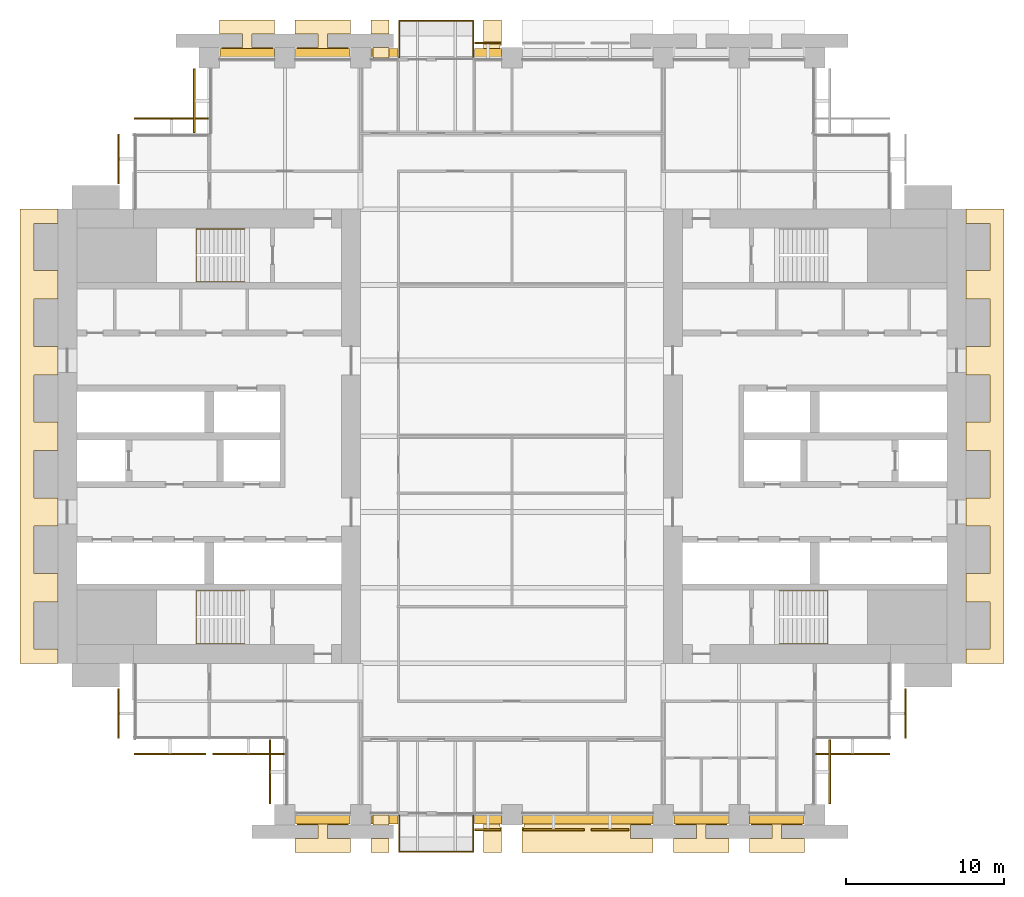
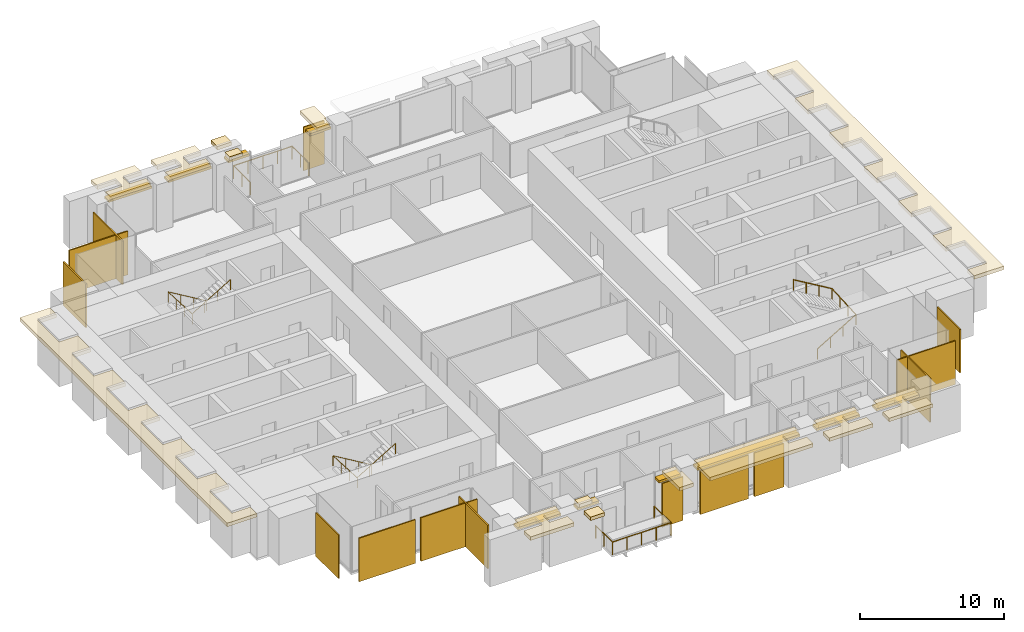
# One storey, part 14 of 15: 28 coverings, 10 shading devices, 5 railings.
"""IFC4 building model written with IfcOpenShell, lengths in metres."""

from ifc_helpers import new_model, si_unit, direction, frame, origin, origin_2d, place, context, subcontext, project, spatial, polyline, rectangle, circle, outline, extrude, material, layer, layer_set, type_object, element, save


model = new_model("IFC4")

# Units and contexts
model_context = context("Model", 3, precision=1e-05, world=origin(), true_north=direction((0.0, 1.0)))
body_context = subcontext(model_context, "Body", "Model", "MODEL_VIEW")
ifc_project = project(units=[si_unit("LENGTHUNIT", "METRE"), si_unit("AREAUNIT", "SQUARE_METRE"), si_unit("VOLUMEUNIT", "CUBIC_METRE"), si_unit("PLANEANGLEUNIT", "RADIAN"), si_unit("MASSUNIT", "GRAM", prefix="KILO")], contexts=[model_context])

# Site, building, storey
site_placement = place(None, origin())
site = spatial("IfcSite", under=ifc_project, at=site_placement, CompositionType="ELEMENT")
building_placement = place(site_placement, origin())
building = spatial("IfcBuilding", under=site, at=building_placement, Name="Baori Bourse Tower", CompositionType="ELEMENT")
storey_placement = place(building_placement, frame((0.0, 0.0, 47.0)))
storey = spatial("IfcBuildingStorey", under=building, at=storey_placement, Name="L09", CompositionType="ELEMENT", Elevation=47.0)

# Coverings
ifc_material_1 = material(Name="Pale anodised aluminium", Category="aluminium")
covering_type_1 = type_object("IfcCoveringType", Name="BD1 Pale metal band", PredefinedType="CLADDING", material=ifc_material_1)
covering_1_placement = place(storey_placement, frame((0.0, 0.0, 3.5400390625)))
element("IfcCovering", 1, at=covering_1_placement, inside=storey, type_object=covering_type_1, Name="Pale projecting band L09 1", PredefinedType="CLADDING", context=body_context, shape_type="SweptSolid", body=[
    extrude(outline(polyline([(57.60009765625, 10.5), (57.60009765625, 9.60009765625), (60.0, 9.60009765625), (60.0, 38.39990234375), (57.60009765625, 38.39990234375), (57.60009765625, 37.5), (59.10009765625, 37.5), (59.10009765625, 34.5), (57.60009765625, 34.5), (57.60009765625, 32.699951171875), (59.10009765625, 32.699951171875), (59.10009765625, 29.699951171875), (57.60009765625, 29.699951171875), (57.60009765625, 27.89990234375), (59.10009765625, 27.89990234375), (59.10009765625, 24.89990234375), (57.60009765625, 24.89990234375), (57.60009765625, 23.10009765625), (59.10009765625, 23.10009765625), (59.10009765625, 20.10009765625), (57.60009765625, 20.10009765625), (57.60009765625, 18.300048828125), (59.10009765625, 18.300048828125), (59.10009765625, 15.300048828125), (57.60009765625, 15.300048828125), (57.60009765625, 13.5), (59.10009765625, 13.5), (59.10009765625, 10.5), (57.60009765625, 10.5)])), origin(), (0.0, 0.0, 1.0), 0.300048828125),
])
covering_2_placement = place(storey_placement, frame((0.0, 0.0, 3.5400390625)))
element("IfcCovering", 2, at=covering_2_placement, inside=storey, type_object=covering_type_1, Name="Pale projecting band L09 5", PredefinedType="CLADDING", context=body_context, shape_type="SweptSolid", body=[
    extrude(outline(polyline([(27.0, 48.0), (28.030029296875, 48.0), (28.030029296875, 48.77001953125), (28.14990234375, 48.77001953125), (28.14990234375, 50.39990234375), (27.0, 50.39990234375), (27.0, 48.0)])), origin(), (0.0, 0.0, 1.0), 0.300048828125),
])
covering_3_placement = place(storey_placement, frame((0.0, 0.0, 3.5400390625)))
element("IfcCovering", 3, at=covering_3_placement, inside=storey, type_object=covering_type_1, Name="Pale projecting band L09 6", PredefinedType="CLADDING", context=body_context, shape_type="SweptSolid", body=[
    extrude(outline(polyline([(19.85009765625, 50.39990234375), (19.85009765625, 49.5), (21.0, 49.5), (21.0, 50.39990234375), (19.85009765625, 50.39990234375)])), origin(), (0.0, 0.0, 1.0), 0.300048828125),
])
covering_4_placement = place(storey_placement, frame((0.0, 0.0, 3.5400390625)))
element("IfcCovering", 4, at=covering_4_placement, inside=storey, type_object=covering_type_1, Name="Pale projecting band L09 7", PredefinedType="CLADDING", context=body_context, shape_type="SweptSolid", body=[
    extrude(outline(polyline([(19.969970703125, 48.0), (21.0, 48.0), (21.0, 48.64990234375), (19.969970703125, 48.64990234375), (19.969970703125, 48.0)])), origin(), (0.0, 0.0, 1.0), 0.300048828125),
])
covering_5_placement = place(storey_placement, frame((0.0, 0.0, 3.5400390625)))
element("IfcCovering", 5, at=covering_5_placement, inside=storey, type_object=covering_type_1, Name="Pale projecting band L09 8", PredefinedType="CLADDING", context=body_context, shape_type="SweptSolid", body=[
    extrude(outline(polyline([(15.169921875, 48.0), (18.429931640625, 48.0), (18.429931640625, 48.64990234375), (17.10009765625, 48.64990234375), (17.10009765625, 49.5), (18.550048828125, 49.5), (18.550048828125, 50.39990234375), (15.050048828125, 50.39990234375), (15.050048828125, 49.5), (16.5, 49.5), (16.5, 48.64990234375), (15.169921875, 48.64990234375), (15.169921875, 48.0)])), origin(), (0.0, 0.0, 1.0), 0.300048828125),
])
covering_6_placement = place(storey_placement, frame((0.0, 0.0, 3.5400390625)))
element("IfcCovering", 6, at=covering_6_placement, inside=storey, type_object=covering_type_1, Name="Pale projecting band L09 9", PredefinedType="CLADDING", context=body_context, shape_type="SweptSolid", body=[
    extrude(outline(polyline([(10.3701171875, 48.0), (13.6298828125, 48.0), (13.6298828125, 48.64990234375), (12.300048828125, 48.64990234375), (12.300048828125, 49.5), (13.75, 49.5), (13.75, 50.39990234375), (10.25, 50.39990234375), (10.25, 49.5), (11.699951171875, 49.5), (11.699951171875, 48.64990234375), (10.3701171875, 48.64990234375), (10.3701171875, 48.0)])), origin(), (0.0, 0.0, 1.0), 0.300048828125),
])
covering_7_placement = place(storey_placement, frame((0.0, 0.0, 3.5400390625)))
element("IfcCovering", 7, at=covering_7_placement, inside=storey, type_object=covering_type_1, Name="Pale projecting band L09 10", PredefinedType="CLADDING", context=body_context, shape_type="SweptSolid", body=[
    extrude(outline(polyline([(0.0, 37.5), (0.0, 38.39990234375), (-2.39990234375, 38.39990234375), (-2.39990234375, 9.60009765625), (0.0, 9.60009765625), (0.0, 10.5), (-1.5, 10.5), (-1.5, 13.5), (0.0, 13.5), (0.0, 15.300048828125), (-1.5, 15.300048828125), (-1.5, 18.300048828125), (0.0, 18.300048828125), (0.0, 20.10009765625), (-1.5, 20.10009765625), (-1.5, 23.10009765625), (0.0, 23.10009765625), (0.0, 24.89990234375), (-1.5, 24.89990234375), (-1.5, 27.89990234375), (0.0, 27.89990234375), (0.0, 29.699951171875), (-1.5, 29.699951171875), (-1.5, 32.699951171875), (0.0, 32.699951171875), (0.0, 34.5), (-1.5, 34.5), (-1.5, 37.5), (0.0, 37.5)])), origin(), (0.0, 0.0, 1.0), 0.300048828125),
])
covering_8_placement = place(storey_placement, frame((0.0, 0.0, 3.5400390625)))
element("IfcCovering", 8, at=covering_8_placement, inside=storey, type_object=covering_type_1, Name="Pale projecting band L09 11", PredefinedType="CLADDING", context=body_context, shape_type="SweptSolid", body=[
    extrude(outline(polyline([(18.429931640625, 0.0), (15.169921875, 0.0), (15.169921875, -0.64990234375), (16.5, -0.64990234375), (16.5, -1.5), (15.050048828125, -1.5), (15.050048828125, -2.39990234375), (18.550048828125, -2.39990234375), (18.550048828125, -1.5), (17.10009765625, -1.5), (17.10009765625, -0.64990234375), (18.429931640625, -0.64990234375), (18.429931640625, 0.0)])), origin(), (0.0, 0.0, 1.0), 0.300048828125),
])
covering_9_placement = place(storey_placement, frame((0.0, 0.0, 3.5400390625)))
element("IfcCovering", 9, at=covering_9_placement, inside=storey, type_object=covering_type_1, Name="Pale projecting band L09 12", PredefinedType="CLADDING", context=body_context, shape_type="SweptSolid", body=[
    extrude(outline(polyline([(19.85009765625, -2.39990234375), (21.0, -2.39990234375), (21.0, -1.5), (19.85009765625, -1.5), (19.85009765625, -2.39990234375)])), origin(), (0.0, 0.0, 1.0), 0.300048828125),
])
covering_10_placement = place(storey_placement, frame((0.0, 0.0, 3.5400390625)))
element("IfcCovering", 10, at=covering_10_placement, inside=storey, type_object=covering_type_1, Name="Pale projecting band L09 13", PredefinedType="CLADDING", context=body_context, shape_type="SweptSolid", body=[
    extrude(outline(polyline([(21.0, 0.0), (19.969970703125, 0.0), (19.969970703125, -0.64990234375), (21.0, -0.64990234375), (21.0, 0.0)])), origin(), (0.0, 0.0, 1.0), 0.300048828125),
])
covering_11_placement = place(storey_placement, frame((0.0, 0.0, 3.5400390625)))
element("IfcCovering", 11, at=covering_11_placement, inside=storey, type_object=covering_type_1, Name="Pale projecting band L09 14", PredefinedType="CLADDING", context=body_context, shape_type="SweptSolid", body=[
    extrude(outline(polyline([(28.030029296875, 0.0), (27.0, 0.0), (27.0, -2.39990234375), (28.14990234375, -2.39990234375), (28.14990234375, -0.77001953125), (28.030029296875, -0.77001953125), (28.030029296875, 0.0)])), origin(), (0.0, 0.0, 1.0), 0.300048828125),
])
covering_12_placement = place(storey_placement, frame((0.0, 0.0, 3.5400390625)))
element("IfcCovering", 12, at=covering_12_placement, inside=storey, type_object=covering_type_1, Name="Pale projecting band L09 15", PredefinedType="CLADDING", context=body_context, shape_type="SweptSolid", body=[
    extrude(outline(polyline([(37.6298828125, 0.0), (29.570068359375, 0.0), (29.570068359375, -0.77001953125), (29.449951171875, -0.77001953125), (29.449951171875, -2.39990234375), (37.75, -2.39990234375), (37.75, -1.5), (36.300048828125, -1.5), (36.300048828125, -0.64990234375), (37.6298828125, -0.64990234375), (37.6298828125, 0.0)])), origin(), (0.0, 0.0, 1.0), 0.300048828125),
])
covering_13_placement = place(storey_placement, frame((0.0, 0.0, 3.5400390625)))
element("IfcCovering", 13, at=covering_13_placement, inside=storey, type_object=covering_type_1, Name="Pale projecting band L09 16", PredefinedType="CLADDING", context=body_context, shape_type="SweptSolid", body=[
    extrude(outline(polyline([(42.429931640625, 0.0), (39.169921875, 0.0), (39.169921875, -0.64990234375), (40.5, -0.64990234375), (40.5, -1.5), (39.050048828125, -1.5), (39.050048828125, -2.39990234375), (42.550048828125, -2.39990234375), (42.550048828125, -1.5), (41.10009765625, -1.5), (41.10009765625, -0.64990234375), (42.429931640625, -0.64990234375), (42.429931640625, 0.0)])), origin(), (0.0, 0.0, 1.0), 0.300048828125),
])
covering_14_placement = place(storey_placement, frame((0.0, 0.0, 3.5400390625)))
element("IfcCovering", 14, at=covering_14_placement, inside=storey, type_object=covering_type_1, Name="Pale projecting band L09 17", PredefinedType="CLADDING", context=body_context, shape_type="SweptSolid", body=[
    extrude(outline(polyline([(47.22998046875, 0.0), (43.969970703125, 0.0), (43.969970703125, -0.64990234375), (45.300048828125, -0.64990234375), (45.300048828125, -1.5), (43.85009765625, -1.5), (43.85009765625, -2.39990234375), (47.35009765625, -2.39990234375), (47.35009765625, -1.5), (45.89990234375, -1.5), (45.89990234375, -0.64990234375), (47.22998046875, -0.64990234375), (47.22998046875, 0.0)])), origin(), (0.0, 0.0, 1.0), 0.300048828125),
])

# Shading devices
ifc_material_2 = material(Name="Concrete f'c 40 MPa", Category="concrete")
ifc_layer_1 = layer(ifc_material_2, 0.199951171875)
ifc_layer_set_1 = layer_set([ifc_layer_1], Name="BS1 Brise-soleil ledge")
shading_device_type = type_object("IfcShadingDeviceType", Name="BS1 Brise-soleil ledge", PredefinedType="USERDEFINED", material=ifc_layer_set_1)
for number, where, z_axis, x_axis, name in (
    (15, (27.27490234375, 48.300048828125, 3.33984375), (0.0, 0.0, 1.0), (-1.0, 0.0, 0.0), "Brise-soleil ledge L09 4"),
    (16, (20.72509765625, 48.300048828125, 3.33984375), (0.0, 0.0, 1.0), (-1.0, 0.0, 0.0), "Brise-soleil ledge L09 5"),
):
    element("IfcShadingDevice", number, at=place(storey_placement, frame(where, z_axis=z_axis, x_axis=x_axis)), inside=storey, type_object=shading_device_type, Name=name, ObjectType="BRISE SOLEIL", PredefinedType="USERDEFINED", context=body_context, shape_type="SweptSolid", body=[
        extrude(rectangle(XDim=1.7099609375, YDim=0.60009765625, at=origin_2d()), origin(), (0.0, 0.0, 1.0), 0.199951171875),
    ])
for number, where, z_axis, x_axis, name in (
    (17, (16.800048828125, 48.300048828125, 3.33984375), (0.0, 0.0, 1.0), (-1.0, 0.0, 0.0), "Brise-soleil ledge L09 6"),
    (18, (12.0, 48.300048828125, 3.33984375), (0.0, 0.0, 1.0), (-1.0, 0.0, 0.0), "Brise-soleil ledge L09 7"),
    (19, (16.800048828125, -0.300048828125, 3.33984375), (0.0, 0.0, 1.0), (1.0, 0.0, 0.0), "Brise-soleil ledge L09 8"),
):
    element("IfcShadingDevice", number, at=place(storey_placement, frame(where, z_axis=z_axis, x_axis=x_axis)), inside=storey, type_object=shading_device_type, Name=name, ObjectType="BRISE SOLEIL", PredefinedType="USERDEFINED", context=body_context, shape_type="SweptSolid", body=[
        extrude(rectangle(XDim=3.4599609375, YDim=0.60009765625, at=origin_2d()), origin(), (0.0, 0.0, 1.0), 0.199951171875),
    ])
for number, where, z_axis, x_axis, name in (
    (20, (20.72509765625, -0.300048828125, 3.33984375), (0.0, 0.0, 1.0), (1.0, 0.0, 0.0), "Brise-soleil ledge L09 9"),
    (21, (27.27490234375, -0.300048828125, 3.33984375), (0.0, 0.0, 1.0), (1.0, 0.0, 0.0), "Brise-soleil ledge L09 10"),
):
    element("IfcShadingDevice", number, at=place(storey_placement, frame(where, z_axis=z_axis, x_axis=x_axis)), inside=storey, type_object=shading_device_type, Name=name, ObjectType="BRISE SOLEIL", PredefinedType="USERDEFINED", context=body_context, shape_type="SweptSolid", body=[
        extrude(rectangle(XDim=1.7099609375, YDim=0.60009765625, at=origin_2d()), origin(), (0.0, 0.0, 1.0), 0.199951171875),
    ])
shading_device_placement = place(storey_placement, frame((33.60009765625, -0.300048828125, 3.33984375), z_axis=(0.0, 0.0, 1.0), x_axis=(1.0, 0.0, 0.0)))
element("IfcShadingDevice", 22, at=shading_device_placement, inside=storey, type_object=shading_device_type, Name="Brise-soleil ledge L09 11", ObjectType="BRISE SOLEIL", PredefinedType="USERDEFINED", context=body_context, shape_type="SweptSolid", body=[
    extrude(rectangle(XDim=8.260009765625, YDim=0.60009765625, at=origin_2d()), origin(), (0.0, 0.0, 1.0), 0.199951171875),
])
for number, where, z_axis, x_axis, name in (
    (23, (40.800048828125, -0.300048828125, 3.33984375), (0.0, 0.0, 1.0), (1.0, 0.0, 0.0), "Brise-soleil ledge L09 12"),
    (24, (45.60009765625, -0.300048828125, 3.33984375), (0.0, 0.0, 1.0), (1.0, 0.0, 0.0), "Brise-soleil ledge L09 13"),
):
    element("IfcShadingDevice", number, at=place(storey_placement, frame(where, z_axis=z_axis, x_axis=x_axis)), inside=storey, type_object=shading_device_type, Name=name, ObjectType="BRISE SOLEIL", PredefinedType="USERDEFINED", context=body_context, shape_type="SweptSolid", body=[
        extrude(rectangle(XDim=3.4599609375, YDim=0.60009765625, at=origin_2d()), origin(), (0.0, 0.0, 1.0), 0.199951171875),
    ])

# Railings
ifc_material_3 = material(Name="Powder-coated steel balustrade", Category="steel")
railing_type_1 = type_object("IfcRailingType", Name="Core stair handrail", PredefinedType="HANDRAIL", material=ifc_material_3)
railing_1_placement = place(storey_placement, frame((11.85009765625, 14.199951171875, 0.166748046875)))
element("IfcRailing", 25, at=railing_1_placement, inside=storey, type_object=railing_type_1, Name="L09 ST1 stair handrail 1", PredefinedType="HANDRAIL", context=body_context, shape_type="SweptSolid", body=[
    extrude(circle(Radius=0.02392578125, at=origin_2d()), frame((0.0, 0.0, 0.8759765625), z_axis=(-0.859308565015, 0.0, 0.511457515432), x_axis=(0.0, -1.0, 0.0)), (0.0, 0.0, 1.0), 3.58447265625),
    extrude(circle(Radius=0.02392578125, at=origin_2d()), frame((-3.080078125, 0.0, 2.708984375), z_axis=(0.0, -0.998763387249, 0.04971615724), x_axis=(1.0, 0.0, 0.0)), (0.0, 0.0, 1.0), 3.35400390625),
    extrude(circle(Radius=0.02392578125, at=origin_2d()), frame((-3.080078125, -3.349853515625, 2.8759765625), z_axis=(0.859308565015, 0.0, 0.511457515432), x_axis=(0.0, 1.0, 0.0)), (0.0, 0.0, 1.0), 3.58447265625),
    extrude(circle(Radius=0.02099609375, at=origin_2d()), origin(), (0.0, 0.0, 1.0), 0.851806640625),
    extrude(circle(Radius=0.02099609375, at=origin_2d()), frame((-1.026611328125, 0.0, 0.611083984375)), (0.0, 0.0, 1.0), 0.851806640625),
    extrude(circle(Radius=0.02099609375, at=origin_2d()), frame((-2.053466796875, 0.0, 1.22216796875)), (0.0, 0.0, 1.0), 0.851806640625),
    extrude(circle(Radius=0.02099609375, at=origin_2d()), frame((-3.080078125, 0.0, 1.833251953125)), (0.0, 0.0, 1.0), 0.851806640625),
    extrude(circle(Radius=0.02099609375, at=origin_2d()), frame((-3.080078125, -1.11669921875, 1.888916015625)), (0.0, 0.0, 1.0), 0.851806640625),
    extrude(circle(Radius=0.02099609375, at=origin_2d()), frame((-3.080078125, -2.233154296875, 1.9443359375)), (0.0, 0.0, 1.0), 0.851806640625),
    extrude(circle(Radius=0.02099609375, at=origin_2d()), frame((-3.080078125, -3.349853515625, 2.0)), (0.0, 0.0, 1.0), 0.851806640625),
    extrude(circle(Radius=0.02099609375, at=origin_2d()), frame((-2.053466796875, -3.349853515625, 2.611083984375)), (0.0, 0.0, 1.0), 0.851806640625),
    extrude(circle(Radius=0.02099609375, at=origin_2d()), frame((-1.026611328125, -3.349853515625, 3.22216796875)), (0.0, 0.0, 1.0), 0.851806640625),
    extrude(circle(Radius=0.02099609375, at=origin_2d()), frame((0.0, -3.349853515625, 3.833251953125)), (0.0, 0.0, 1.0), 0.851806640625),
])
railing_2_placement = place(storey_placement, frame((11.85009765625, 37.14990234375, 0.166748046875)))
element("IfcRailing", 26, at=railing_2_placement, inside=storey, type_object=railing_type_1, Name="L09 ST2 stair handrail 1", PredefinedType="HANDRAIL", context=body_context, shape_type="SweptSolid", body=[
    extrude(circle(Radius=0.02392578125, at=origin_2d()), frame((0.0, 0.0, 0.8759765625), z_axis=(-0.859308565015, 0.0, 0.511457515432), x_axis=(0.0, -1.0, 0.0)), (0.0, 0.0, 1.0), 3.58447265625),
    extrude(circle(Radius=0.02392578125, at=origin_2d()), frame((-3.080078125, 0.0, 2.708984375), z_axis=(0.0, -0.998763387249, 0.04971615724), x_axis=(1.0, 0.0, 0.0)), (0.0, 0.0, 1.0), 3.35400390625),
    extrude(circle(Radius=0.02392578125, at=origin_2d()), frame((-3.080078125, -3.349853515625, 2.8759765625), z_axis=(0.859308565015, 0.0, 0.511457515432), x_axis=(0.0, 1.0, 0.0)), (0.0, 0.0, 1.0), 3.58447265625),
    extrude(circle(Radius=0.02099609375, at=origin_2d()), origin(), (0.0, 0.0, 1.0), 0.851806640625),
    extrude(circle(Radius=0.02099609375, at=origin_2d()), frame((-1.026611328125, 0.0, 0.611083984375)), (0.0, 0.0, 1.0), 0.851806640625),
    extrude(circle(Radius=0.02099609375, at=origin_2d()), frame((-2.053466796875, 0.0, 1.22216796875)), (0.0, 0.0, 1.0), 0.851806640625),
    extrude(circle(Radius=0.02099609375, at=origin_2d()), frame((-3.080078125, 0.0, 1.833251953125)), (0.0, 0.0, 1.0), 0.851806640625),
    extrude(circle(Radius=0.02099609375, at=origin_2d()), frame((-3.080078125, -1.11669921875, 1.888916015625)), (0.0, 0.0, 1.0), 0.851806640625),
    extrude(circle(Radius=0.02099609375, at=origin_2d()), frame((-3.080078125, -2.233154296875, 1.9443359375)), (0.0, 0.0, 1.0), 0.851806640625),
    extrude(circle(Radius=0.02099609375, at=origin_2d()), frame((-3.080078125, -3.349853515625, 2.0)), (0.0, 0.0, 1.0), 0.851806640625),
    extrude(circle(Radius=0.02099609375, at=origin_2d()), frame((-2.053466796875, -3.349853515625, 2.611083984375)), (0.0, 0.0, 1.0), 0.851806640625),
    extrude(circle(Radius=0.02099609375, at=origin_2d()), frame((-1.026611328125, -3.349853515625, 3.22216796875)), (0.0, 0.0, 1.0), 0.851806640625),
    extrude(circle(Radius=0.02099609375, at=origin_2d()), frame((0.0, -3.349853515625, 3.833251953125)), (0.0, 0.0, 1.0), 0.851806640625),
])
railing_3_placement = place(storey_placement, frame((45.75, 10.85009765625, 0.166748046875)))
element("IfcRailing", 27, at=railing_3_placement, inside=storey, type_object=railing_type_1, Name="L09 ST3 stair handrail 1", PredefinedType="HANDRAIL", context=body_context, shape_type="SweptSolid", body=[
    extrude(circle(Radius=0.02392578125, at=origin_2d()), frame((0.0, 0.0, 0.8759765625), z_axis=(0.859308565015, 0.0, 0.511457515432), x_axis=(0.0, 1.0, 0.0)), (0.0, 0.0, 1.0), 3.58447265625),
    extrude(circle(Radius=0.02392578125, at=origin_2d()), frame((3.080078125, 0.0, 2.708984375), z_axis=(0.0, 0.998763387249, 0.04971615724), x_axis=(-1.0, 0.0, 0.0)), (0.0, 0.0, 1.0), 3.35400390625),
    extrude(circle(Radius=0.02392578125, at=origin_2d()), frame((3.080078125, 3.349853515625, 2.8759765625), z_axis=(-0.859308565015, 0.0, 0.511457515432), x_axis=(0.0, -1.0, 0.0)), (0.0, 0.0, 1.0), 3.58447265625),
    extrude(circle(Radius=0.02099609375, at=origin_2d()), origin(), (0.0, 0.0, 1.0), 0.851806640625),
    extrude(circle(Radius=0.02099609375, at=origin_2d()), frame((1.026611328125, 0.0, 0.611083984375)), (0.0, 0.0, 1.0), 0.851806640625),
    extrude(circle(Radius=0.02099609375, at=origin_2d()), frame((2.053466796875, 0.0, 1.22216796875)), (0.0, 0.0, 1.0), 0.851806640625),
    extrude(circle(Radius=0.02099609375, at=origin_2d()), frame((3.080078125, 0.0, 1.833251953125)), (0.0, 0.0, 1.0), 0.851806640625),
    extrude(circle(Radius=0.02099609375, at=origin_2d()), frame((3.080078125, 1.11669921875, 1.888916015625)), (0.0, 0.0, 1.0), 0.851806640625),
    extrude(circle(Radius=0.02099609375, at=origin_2d()), frame((3.080078125, 2.233154296875, 1.9443359375)), (0.0, 0.0, 1.0), 0.851806640625),
    extrude(circle(Radius=0.02099609375, at=origin_2d()), frame((3.080078125, 3.349853515625, 2.0)), (0.0, 0.0, 1.0), 0.851806640625),
    extrude(circle(Radius=0.02099609375, at=origin_2d()), frame((2.053466796875, 3.349853515625, 2.611083984375)), (0.0, 0.0, 1.0), 0.851806640625),
    extrude(circle(Radius=0.02099609375, at=origin_2d()), frame((1.026611328125, 3.349853515625, 3.22216796875)), (0.0, 0.0, 1.0), 0.851806640625),
    extrude(circle(Radius=0.02099609375, at=origin_2d()), frame((0.0, 3.349853515625, 3.833251953125)), (0.0, 0.0, 1.0), 0.851806640625),
])
ifc_material_4 = material(Name="Stainless steel", Category="steel")
railing_type_2 = type_object("IfcRailingType", Name="GD1 Guard", PredefinedType="GUARDRAIL", material=ifc_material_4)
railing_4_placement = place(storey_placement, frame((21.64990234375, -0.030029296875, 0.0)))
element("IfcRailing", 28, at=railing_4_placement, inside=storey, type_object=railing_type_2, Name="Guard balcony S L09 1", PredefinedType="GUARDRAIL", context=body_context, shape_type="SweptSolid", body=[
    extrude(circle(Radius=0.02392578125, at=origin_2d()), frame((0.0, 0.0, 1.076171875), z_axis=(0.0, -1.0, 0.0), x_axis=(1.0, 0.0, 0.0)), (0.0, 0.0, 1.0), 2.320068359375),
    extrude(circle(Radius=0.02392578125, at=origin_2d()), frame((0.0, -2.320068359375, 1.076171875), z_axis=(1.0, 0.0, 0.0), x_axis=(0.0, 1.0, 0.0)), (0.0, 0.0, 1.0), 4.7001953125),
    extrude(circle(Radius=0.02392578125, at=origin_2d()), frame((4.7001953125, -2.320068359375, 1.076171875), z_axis=(0.0, 1.0, 0.0), x_axis=(-1.0, 0.0, 0.0)), (0.0, 0.0, 1.0), 2.320068359375),
    extrude(circle(Radius=0.02099609375, at=origin_2d()), origin(), (0.0, 0.0, 1.0), 1.052001953125),
    extrude(circle(Radius=0.02099609375, at=origin_2d()), frame((0.0, -1.16015625, 0.0)), (0.0, 0.0, 1.0), 1.052001953125),
    extrude(circle(Radius=0.02099609375, at=origin_2d()), frame((0.0, -2.320068359375, 0.0)), (0.0, 0.0, 1.0), 1.052001953125),
    extrude(circle(Radius=0.02099609375, at=origin_2d()), frame((1.175048828125, -2.320068359375, 0.0)), (0.0, 0.0, 1.0), 1.052001953125),
    extrude(circle(Radius=0.02099609375, at=origin_2d()), frame((2.35009765625, -2.320068359375, 0.0)), (0.0, 0.0, 1.0), 1.052001953125),
    extrude(circle(Radius=0.02099609375, at=origin_2d()), frame((3.525146484375, -2.320068359375, 0.0)), (0.0, 0.0, 1.0), 1.052001953125),
    extrude(circle(Radius=0.02099609375, at=origin_2d()), frame((4.7001953125, -2.320068359375, 0.0)), (0.0, 0.0, 1.0), 1.052001953125),
    extrude(circle(Radius=0.02099609375, at=origin_2d()), frame((4.7001953125, -1.16015625, 0.0)), (0.0, 0.0, 1.0), 1.052001953125),
    extrude(circle(Radius=0.02099609375, at=origin_2d()), frame((4.7001953125, 0.0, 0.0)), (0.0, 0.0, 1.0), 1.052001953125),
])
railing_5_placement = place(storey_placement, frame((21.64990234375, 48.030029296875, 0.0)))
element("IfcRailing", 29, at=railing_5_placement, inside=storey, type_object=railing_type_2, Name="Guard balcony N L09 2", PredefinedType="GUARDRAIL", context=body_context, shape_type="SweptSolid", body=[
    extrude(circle(Radius=0.02392578125, at=origin_2d()), frame((0.0, 0.0, 1.076171875), z_axis=(0.0, 1.0, 0.0), x_axis=(-1.0, 0.0, 0.0)), (0.0, 0.0, 1.0), 2.320068359375),
    extrude(circle(Radius=0.02392578125, at=origin_2d()), frame((0.0, 2.320068359375, 1.076171875), z_axis=(1.0, 0.0, 0.0), x_axis=(0.0, 1.0, 0.0)), (0.0, 0.0, 1.0), 4.7001953125),
    extrude(circle(Radius=0.02392578125, at=origin_2d()), frame((4.7001953125, 2.320068359375, 1.076171875), z_axis=(0.0, -1.0, 0.0), x_axis=(1.0, 0.0, 0.0)), (0.0, 0.0, 1.0), 2.320068359375),
    extrude(circle(Radius=0.02099609375, at=origin_2d()), origin(), (0.0, 0.0, 1.0), 1.052001953125),
    extrude(circle(Radius=0.02099609375, at=origin_2d()), frame((0.0, 1.16015625, 0.0)), (0.0, 0.0, 1.0), 1.052001953125),
    extrude(circle(Radius=0.02099609375, at=origin_2d()), frame((0.0, 2.320068359375, 0.0)), (0.0, 0.0, 1.0), 1.052001953125),
    extrude(circle(Radius=0.02099609375, at=origin_2d()), frame((1.175048828125, 2.320068359375, 0.0)), (0.0, 0.0, 1.0), 1.052001953125),
    extrude(circle(Radius=0.02099609375, at=origin_2d()), frame((2.35009765625, 2.320068359375, 0.0)), (0.0, 0.0, 1.0), 1.052001953125),
    extrude(circle(Radius=0.02099609375, at=origin_2d()), frame((3.525146484375, 2.320068359375, 0.0)), (0.0, 0.0, 1.0), 1.052001953125),
    extrude(circle(Radius=0.02099609375, at=origin_2d()), frame((4.7001953125, 2.320068359375, 0.0)), (0.0, 0.0, 1.0), 1.052001953125),
    extrude(circle(Radius=0.02099609375, at=origin_2d()), frame((4.7001953125, 1.16015625, 0.0)), (0.0, 0.0, 1.0), 1.052001953125),
    extrude(circle(Radius=0.02099609375, at=origin_2d()), frame((4.7001953125, 0.0, 0.0)), (0.0, 0.0, 1.0), 1.052001953125),
])

# Coverings
ifc_material_5 = material(Name="Pale anodised aluminium", Category="aluminium")
ifc_layer_2 = layer(ifc_material_5, 0.10009765625)
ifc_layer_set_2 = layer_set([ifc_layer_2], Name="OS3 Outer skin screen panel")
covering_type_2 = type_object("IfcCoveringType", Name="OS3 Outer skin screen panel", PredefinedType="CLADDING", material=ifc_layer_set_2)
covering_15_placement = place(storey_placement, frame((0.0, 0.0, -0.159912109375)))
element("IfcCovering", 30, at=covering_15_placement, inside=storey, type_object=covering_type_2, Name="Outer skin screen L09 6", PredefinedType="CLADDING", context=body_context, shape_type="SweptSolid", body=[
    extrude(outline(polyline([(26.449951171875, 48.89990234375), (28.10009765625, 48.89990234375), (28.10009765625, 49.0), (26.449951171875, 49.0), (26.449951171875, 48.89990234375)])), origin(), (0.0, 0.0, 1.0), 3.699951171875),
])
covering_16_placement = place(storey_placement, frame((0.0, 0.0, -0.159912109375)))
element("IfcCovering", 31, at=covering_16_placement, inside=storey, type_object=covering_type_2, Name="Outer skin screen L09 7", PredefinedType="CLADDING", context=body_context, shape_type="SweptSolid", body=[
    extrude(outline(polyline([(8.699951171875, 43.25), (8.699951171875, 47.300048828125), (8.60009765625, 47.300048828125), (8.60009765625, 43.25), (8.699951171875, 43.25)])), origin(), (0.0, 0.0, 1.0), 3.699951171875),
])
covering_17_placement = place(storey_placement, frame((0.0, 0.0, -0.159912109375)))
element("IfcCovering", 32, at=covering_17_placement, inside=storey, type_object=covering_type_2, Name="Outer skin screen L09 8", PredefinedType="CLADDING", context=body_context, shape_type="SweptSolid", body=[
    extrude(outline(polyline([(4.85009765625, 44.10009765625), (9.550048828125, 44.10009765625), (9.550048828125, 44.199951171875), (4.85009765625, 44.199951171875), (4.85009765625, 44.10009765625)])), origin(), (0.0, 0.0, 1.0), 3.699951171875),
])
covering_18_placement = place(storey_placement, frame((0.0, 0.0, -0.159912109375)))
element("IfcCovering", 33, at=covering_18_placement, inside=storey, type_object=covering_type_2, Name="Outer skin screen L09 9", PredefinedType="CLADDING", context=body_context, shape_type="SweptSolid", body=[
    extrude(outline(polyline([(3.89990234375, 40.0), (3.89990234375, 43.14990234375), (3.800048828125, 43.14990234375), (3.800048828125, 40.0), (3.89990234375, 40.0), (3.89990234375, 40.0)])), origin(), (0.0, 0.0, 1.0), 3.699951171875),
])
covering_19_placement = place(storey_placement, frame((0.0, 0.0, -0.159912109375)))
element("IfcCovering", 34, at=covering_19_placement, inside=storey, type_object=covering_type_2, Name="Outer skin screen L09 10", PredefinedType="CLADDING", context=body_context, shape_type="SweptSolid", body=[
    extrude(outline(polyline([(3.89990234375, 4.85009765625), (3.89990234375, 8.0), (3.89990234375, 8.0), (3.800048828125, 8.0), (3.800048828125, 4.85009765625), (3.89990234375, 4.85009765625)])), origin(), (0.0, 0.0, 1.0), 3.699951171875),
])
covering_20_placement = place(storey_placement, frame((0.0, 0.0, -0.159912109375)))
element("IfcCovering", 35, at=covering_20_placement, inside=storey, type_object=covering_type_2, Name="Outer skin screen L09 11", PredefinedType="CLADDING", context=body_context, shape_type="SweptSolid", body=[
    extrude(outline(polyline([(9.375, 3.89990234375), (4.85009765625, 3.89990234375), (4.85009765625, 3.800048828125), (9.375, 3.800048828125), (9.375, 3.89990234375)])), origin(), (0.0, 0.0, 1.0), 3.699951171875),
])
covering_21_placement = place(storey_placement, frame((0.0, 0.0, -0.159912109375)))
element("IfcCovering", 36, at=covering_21_placement, inside=storey, type_object=covering_type_2, Name="Outer skin screen L09 12", PredefinedType="CLADDING", context=body_context, shape_type="SweptSolid", body=[
    extrude(outline(polyline([(14.35009765625, 3.89990234375), (9.824951171875, 3.89990234375), (9.824951171875, 3.800048828125), (14.35009765625, 3.800048828125), (14.35009765625, 3.89990234375)])), origin(), (0.0, 0.0, 1.0), 3.699951171875),
])
covering_22_placement = place(storey_placement, frame((0.0, 0.0, -0.159912109375)))
element("IfcCovering", 37, at=covering_22_placement, inside=storey, type_object=covering_type_2, Name="Outer skin screen L09 13", PredefinedType="CLADDING", context=body_context, shape_type="SweptSolid", body=[
    extrude(outline(polyline([(13.5, 0.699951171875), (13.5, 4.75), (13.39990234375, 4.75), (13.39990234375, 0.699951171875), (13.5, 0.699951171875)])), origin(), (0.0, 0.0, 1.0), 3.699951171875),
])
covering_23_placement = place(storey_placement, frame((0.0, 0.0, -0.159912109375)))
element("IfcCovering", 38, at=covering_23_placement, inside=storey, type_object=covering_type_2, Name="Outer skin screen L09 14", PredefinedType="CLADDING", context=body_context, shape_type="SweptSolid", body=[
    extrude(outline(polyline([(28.10009765625, -0.89990234375), (26.449951171875, -0.89990234375), (26.449951171875, -1.0), (28.10009765625, -1.0), (28.10009765625, -0.89990234375)])), origin(), (0.0, 0.0, 1.0), 3.699951171875),
])
covering_24_placement = place(storey_placement, frame((0.0, 0.0, -0.159912109375)))
element("IfcCovering", 39, at=covering_24_placement, inside=storey, type_object=covering_type_2, Name="Outer skin screen L09 15", PredefinedType="CLADDING", context=body_context, shape_type="SweptSolid", body=[
    extrude(outline(polyline([(33.375, -0.89990234375), (29.5, -0.89990234375), (29.5, -1.0), (33.375, -1.0), (33.375, -0.89990234375)])), origin(), (0.0, 0.0, 1.0), 3.699951171875),
])
covering_25_placement = place(storey_placement, frame((0.0, 0.0, -0.159912109375)))
element("IfcCovering", 40, at=covering_25_placement, inside=storey, type_object=covering_type_2, Name="Outer skin screen L09 16", PredefinedType="CLADDING", context=body_context, shape_type="SweptSolid", body=[
    extrude(outline(polyline([(36.199951171875, -0.89990234375), (33.824951171875, -0.89990234375), (33.824951171875, -1.0), (36.199951171875, -1.0), (36.199951171875, -0.89990234375)])), origin(), (0.0, 0.0, 1.0), 3.699951171875),
])
covering_26_placement = place(storey_placement, frame((0.0, 0.0, -0.159912109375)))
element("IfcCovering", 41, at=covering_26_placement, inside=storey, type_object=covering_type_2, Name="Outer skin screen L09 17", PredefinedType="CLADDING", context=body_context, shape_type="SweptSolid", body=[
    extrude(outline(polyline([(48.89990234375, 4.75), (48.89990234375, 0.699951171875), (49.0, 0.699951171875), (49.0, 4.75), (48.89990234375, 4.75)])), origin(), (0.0, 0.0, 1.0), 3.699951171875),
])
covering_27_placement = place(storey_placement, frame((0.0, 0.0, -0.159912109375)))
element("IfcCovering", 42, at=covering_27_placement, inside=storey, type_object=covering_type_2, Name="Outer skin screen L09 18", PredefinedType="CLADDING", context=body_context, shape_type="SweptSolid", body=[
    extrude(outline(polyline([(52.75, 3.89990234375), (48.050048828125, 3.89990234375), (48.050048828125, 3.800048828125), (52.75, 3.800048828125), (52.75, 3.89990234375)])), origin(), (0.0, 0.0, 1.0), 3.699951171875),
])
covering_28_placement = place(storey_placement, frame((0.0, 0.0, -0.159912109375)))
element("IfcCovering", 43, at=covering_28_placement, inside=storey, type_object=covering_type_2, Name="Outer skin screen L09 19", PredefinedType="CLADDING", context=body_context, shape_type="SweptSolid", body=[
    extrude(outline(polyline([(53.699951171875, 8.0), (53.699951171875, 4.85009765625), (53.800048828125, 4.85009765625), (53.800048828125, 8.0), (53.699951171875, 8.0)])), origin(), (0.0, 0.0, 1.0), 3.699951171875),
])

save(model, "model.ifc")
